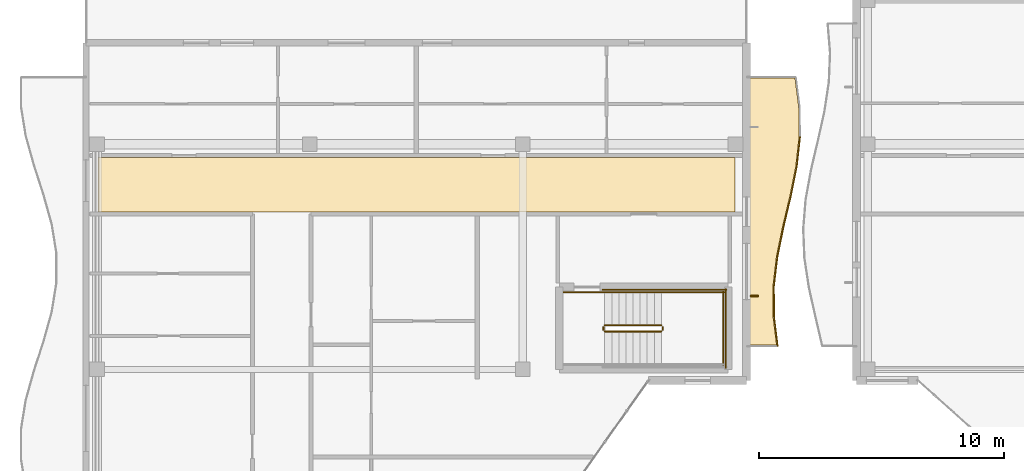
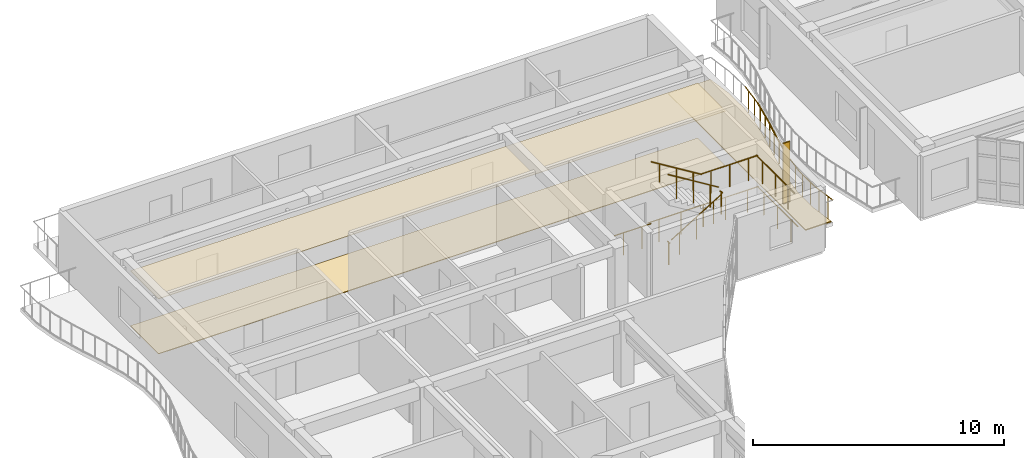
# One storey, part 53 of 71: 17 railings, 3 coverings, 1 shading device.
"""IFC4 building model written with IfcOpenShell, lengths in metres."""

from ifc_helpers import new_model, si_unit, direction, frame, origin, origin_2d, place, context, subcontext, project, spatial, polyline, rectangle, circle, outline, extrude, material, layer, layer_set, type_object, element, save


model = new_model("IFC4")

# Units and contexts
model_context = context("Model", 3, precision=1e-05, world=origin(), true_north=direction((0.0, 1.0)))
body_context = subcontext(model_context, "Body", "Model", "MODEL_VIEW")
ifc_project = project(units=[si_unit("LENGTHUNIT", "METRE"), si_unit("AREAUNIT", "SQUARE_METRE"), si_unit("VOLUMEUNIT", "CUBIC_METRE"), si_unit("PLANEANGLEUNIT", "RADIAN"), si_unit("MASSUNIT", "GRAM", prefix="KILO")], contexts=[model_context])

# Site, building, storey
site_placement = place(None, origin())
site = spatial("IfcSite", under=ifc_project, at=site_placement, CompositionType="ELEMENT")
building_placement = place(site_placement, origin())
building = spatial("IfcBuilding", under=site, at=building_placement, Name="Keldmere Railside Commons", CompositionType="ELEMENT")
storey_placement = place(building_placement, frame((0.0, 0.0, 20.159912109375)))
storey = spatial("IfcBuildingStorey", under=building, at=storey_placement, Name="L06", CompositionType="ELEMENT", Elevation=20.159912109375)

# Railings
ifc_material_1 = material(Name="Steel F-24 (S235)", Category="steel")
railing_type_1 = type_object("IfcRailingType", Name="Balcony & Terrace Steel Balustrade 1100", PredefinedType="BALUSTRADE", material=ifc_material_1)
railing_1_placement = place(storey_placement, frame((36.271728515625, 101.39990234375, 0.0)))
element("IfcRailing", 1, at=railing_1_placement, inside=storey, type_object=railing_type_1, Name="GR-1 GRD-L06-0678", PredefinedType="BALUSTRADE", context=body_context, shape_type="SweptSolid", body=[
    extrude(circle(Radius=0.02392578125, at=origin_2d()), frame((0.0, 0.0, 1.076171875), z_axis=(-0.12210713524, 0.99251692556, 0.0), x_axis=(-0.99251692556, -0.12210713524, 0.0)), (0.0, 0.0, 1.0), 1.231689453125),
    extrude(circle(Radius=0.02099609375, at=origin_2d()), frame((-0.03759765625, 0.3056640625, 0.0)), (0.0, 0.0, 1.0), 1.048095703125),
    extrude(circle(Radius=0.02099609375, at=origin_2d()), frame((-0.11279296875, 0.916748046875, 0.0)), (0.0, 0.0, 1.0), 1.048095703125),
])
railing_2_placement = place(storey_placement, frame((36.121337890625, 102.622314453125, 0.0)))
element("IfcRailing", 2, at=railing_2_placement, inside=storey, type_object=railing_type_1, Name="GR-1 GRD-L06-0679", PredefinedType="BALUSTRADE", context=body_context, shape_type="SweptSolid", body=[
    extrude(circle(Radius=0.02392578125, at=origin_2d()), frame((0.0, 0.0, 1.076171875), z_axis=(-0.002996390863, 0.999995510811, 0.0), x_axis=(-0.999995510811, -0.002996390863, 0.0)), (0.0, 0.0, 1.0), 1.22216796875),
    extrude(circle(Radius=0.02099609375, at=origin_2d()), frame((-0.0009765625, 0.3056640625, 0.0)), (0.0, 0.0, 1.0), 1.048095703125),
    extrude(circle(Radius=0.02099609375, at=origin_2d()), frame((-0.002685546875, 0.91650390625, 0.0)), (0.0, 0.0, 1.0), 1.048095703125),
])
railing_3_placement = place(storey_placement, frame((36.11767578125, 103.844482421875, 0.0)))
element("IfcRailing", 3, at=railing_3_placement, inside=storey, type_object=railing_type_1, Name="GR-1 GRD-L06-0680", PredefinedType="BALUSTRADE", context=body_context, shape_type="SweptSolid", body=[
    extrude(circle(Radius=0.02392578125, at=origin_2d()), frame((0.0, 0.0, 1.076171875), z_axis=(0.11724409675, 0.993103127463, 0.0), x_axis=(-0.993103127463, 0.11724409675, 0.0)), (0.0, 0.0, 1.0), 1.230712890625),
    extrude(circle(Radius=0.02099609375, at=origin_2d()), frame((0.0361328125, 0.3056640625, 0.0)), (0.0, 0.0, 1.0), 1.048095703125),
    extrude(circle(Radius=0.02099609375, at=origin_2d()), frame((0.108154296875, 0.91650390625, 0.0)), (0.0, 0.0, 1.0), 1.048095703125),
])
railing_4_placement = place(storey_placement, frame((36.261962890625, 105.066650390625, 0.0)))
element("IfcRailing", 4, at=railing_4_placement, inside=storey, type_object=railing_type_1, Name="GR-1 GRD-L06-0681", PredefinedType="BALUSTRADE", context=body_context, shape_type="SweptSolid", body=[
    extrude(circle(Radius=0.02392578125, at=origin_2d()), frame((0.0, 0.0, 1.076171875), z_axis=(0.20190684801, 0.979404729786, 0.0), x_axis=(-0.979404729786, 0.20190684801, 0.0)), (0.0, 0.0, 1.0), 1.247802734375),
    extrude(circle(Radius=0.02099609375, at=origin_2d()), frame((0.06298828125, 0.3056640625, 0.0)), (0.0, 0.0, 1.0), 1.048095703125),
    extrude(circle(Radius=0.02099609375, at=origin_2d()), frame((0.18896484375, 0.91650390625, 0.0)), (0.0, 0.0, 1.0), 1.048095703125),
])
railing_5_placement = place(storey_placement, frame((36.513916015625, 106.288818359375, 0.0)))
element("IfcRailing", 5, at=railing_5_placement, inside=storey, type_object=railing_type_1, Name="GR-1 GRD-L06-0682", PredefinedType="BALUSTRADE", context=body_context, shape_type="SweptSolid", body=[
    extrude(circle(Radius=0.02392578125, at=origin_2d()), frame((0.0, 0.0, 1.076171875), z_axis=(0.230718229833, 0.973020605343, 0.0), x_axis=(-0.973020605343, 0.230718229833, 0.0)), (0.0, 0.0, 1.0), 1.256103515625),
    extrude(circle(Radius=0.02099609375, at=origin_2d()), frame((0.072509765625, 0.3056640625, 0.0)), (0.0, 0.0, 1.0), 1.048095703125),
    extrude(circle(Radius=0.02099609375, at=origin_2d()), frame((0.21728515625, 0.91650390625, 0.0)), (0.0, 0.0, 1.0), 1.048095703125),
])
railing_6_placement = place(storey_placement, frame((36.8037109375, 107.510986328125, 0.0)))
element("IfcRailing", 6, at=railing_6_placement, inside=storey, type_object=railing_type_1, Name="GR-1 GRD-L06-0683", PredefinedType="BALUSTRADE", context=body_context, shape_type="SweptSolid", body=[
    extrude(circle(Radius=0.02392578125, at=origin_2d()), frame((0.0, 0.0, 1.076171875), z_axis=(0.198110994175, 0.980179592721, 0.0), x_axis=(-0.980179592721, 0.198110994175, 0.0)), (0.0, 0.0, 1.0), 1.2470703125),
    extrude(circle(Radius=0.02099609375, at=origin_2d()), frame((0.061767578125, 0.3056640625, 0.0)), (0.0, 0.0, 1.0), 1.048095703125),
    extrude(circle(Radius=0.02099609375, at=origin_2d()), frame((0.185302734375, 0.916748046875, 0.0)), (0.0, 0.0, 1.0), 1.048095703125),
])
railing_7_placement = place(storey_placement, frame((37.05078125, 108.7333984375, 0.0)))
element("IfcRailing", 7, at=railing_7_placement, inside=storey, type_object=railing_type_1, Name="GR-1 GRD-L06-0684", PredefinedType="BALUSTRADE", context=body_context, shape_type="SweptSolid", body=[
    extrude(circle(Radius=0.02392578125, at=origin_2d()), frame((0.0, 0.0, 1.076171875), z_axis=(0.110387944134, 0.993888576144, 0.0), x_axis=(-0.993888576144, 0.110387944134, 0.0)), (0.0, 0.0, 1.0), 1.229736328125),
    extrude(circle(Radius=0.02099609375, at=origin_2d()), frame((0.033935546875, 0.3056640625, 0.0)), (0.0, 0.0, 1.0), 1.048095703125),
    extrude(circle(Radius=0.02099609375, at=origin_2d()), frame((0.101806640625, 0.91650390625, 0.0)), (0.0, 0.0, 1.0), 1.048095703125),
])

# Shading device
ifc_layer_1 = layer(ifc_material_1, 0.06005859375, Name="East-West Vertical Brise-Soleil Fin 320x60")
ifc_layer_set_1 = layer_set([ifc_layer_1], Name="Steel F-24 (S235)")
shading_device_type = type_object("IfcShadingDeviceType", Name="East-West Vertical Brise-Soleil Fin 320x60", PredefinedType="USERDEFINED", material=ifc_layer_set_1)
shading_device_placement = place(storey_placement, frame((35.318115234375, 103.449951171875, 0.0), z_axis=(0.0, 0.0, 1.0), x_axis=(1.0, 0.0, 0.0)))
element("IfcShadingDevice", 8, at=shading_device_placement, inside=storey, type_object=shading_device_type, Name="FIN-1 Solar Fin 006", ObjectType="FIN", PredefinedType="USERDEFINED", context=body_context, shape_type="SweptSolid", body=[
    extrude(rectangle(XDim=0.320068359375, YDim=0.06005859375, at=origin_2d()), origin(), (0.0, 0.0, 1.0), 2.97998046875),
])

# Covering
ifc_material_2 = material(Name="Polished Terrazzo Tile Flooring", Category="concrete")
ifc_layer_2 = layer(ifc_material_2, 0.030029296875, Name="Polished Terrazzo Floor Finish 30")
ifc_layer_set_2 = layer_set([ifc_layer_2], Name="Polished Terrazzo Tile Flooring")
covering_type_1 = type_object("IfcCoveringType", Name="Polished Terrazzo Floor Finish 30", PredefinedType="FLOORING", material=ifc_layer_set_2)
covering_1_placement = place(storey_placement, origin())
element("IfcCovering", 9, at=covering_1_placement, inside=storey, type_object=covering_type_1, Name="FLR-1 Corridor Terrazzo D-L06", PredefinedType="FLOORING", context=body_context, shape_type="SweptSolid", body=[
    extrude(outline(polyline([(8.47998046875, 106.8798828125), (34.52001953125, 106.8798828125), (34.52001953125, 109.1201171875), (8.47998046875, 109.1201171875), (8.47998046875, 106.8798828125)])), origin(), (0.0, 0.0, 1.0), 0.030029296875),
])

# Railings
railing_type_2 = type_object("IfcRailingType", Name="Stair Well Steel Guardrail 1100", PredefinedType="BALUSTRADE", material=ifc_material_1)
railing_8_placement = place(storey_placement, frame((29.199951171875, 102.0, 0.177978515625)))
element("IfcRailing", 10, at=railing_8_placement, inside=storey, type_object=railing_type_2, Name="L06 ST-D2 stair guard 1", PredefinedType="BALUSTRADE", context=body_context, shape_type="SweptSolid", body=[
    extrude(circle(Radius=0.02392578125, at=origin_2d()), frame((0.0, 0.0, 1.076171875), z_axis=(0.852578041948, 0.0, 0.522599925744), x_axis=(0.0, 1.0, 0.0)), (0.0, 0.0, 1.0), 2.72119140625),
    extrude(circle(Radius=0.02099609375, at=origin_2d()), frame((0.38671875, 0.0, 0.237060546875)), (0.0, 0.0, 1.0), 1.048095703125),
    extrude(circle(Radius=0.02099609375, at=origin_2d()), frame((1.16015625, 0.0, 0.7109375)), (0.0, 0.0, 1.0), 1.048095703125),
    extrude(circle(Radius=0.02099609375, at=origin_2d()), frame((1.933349609375, 0.0, 1.18505859375)), (0.0, 0.0, 1.0), 1.048095703125),
])
railing_9_placement = place(storey_placement, frame((31.570068359375, 102.050048828125, 1.60009765625)))
element("IfcRailing", 11, at=railing_9_placement, inside=storey, type_object=railing_type_2, Name="L06 ST-D2 stair guard 2", PredefinedType="BALUSTRADE", context=body_context, shape_type="SweptSolid", body=[
    extrude(circle(Radius=0.02392578125, at=origin_2d()), frame((0.0, 0.0, 1.076171875), z_axis=(0.0, 1.0, 0.0), x_axis=(-1.0, 0.0, 0.0)), (0.0, 0.0, 1.0), 0.14990234375),
    extrude(circle(Radius=0.02099609375, at=origin_2d()), frame((0.0, 0.074951171875, 0.0)), (0.0, 0.0, 1.0), 1.048095703125),
])
railing_10_placement = place(storey_placement, frame((31.52001953125, 103.60009765625, 1.60009765625)))
element("IfcRailing", 12, at=railing_10_placement, inside=storey, type_object=railing_type_2, Name="L06 ST-D2 stair guard 4", PredefinedType="BALUSTRADE", context=body_context, shape_type="SweptSolid", body=[
    extrude(circle(Radius=0.02392578125, at=origin_2d()), frame((0.0, 0.0, 1.076171875), z_axis=(1.0, 0.0, 0.0), x_axis=(0.0, 1.0, 0.0)), (0.0, 0.0, 1.0), 2.580078125),
    extrude(circle(Radius=0.02099609375, at=origin_2d()), frame((0.429931640625, 0.0, 0.0)), (0.0, 0.0, 1.0), 1.048095703125),
    extrude(circle(Radius=0.02099609375, at=origin_2d()), frame((1.2900390625, 0.0, 0.0)), (0.0, 0.0, 1.0), 1.048095703125),
    extrude(circle(Radius=0.02099609375, at=origin_2d()), frame((2.150146484375, 0.0, 0.0)), (0.0, 0.0, 1.0), 1.048095703125),
])
railing_11_placement = place(storey_placement, frame((34.050048828125, 100.60009765625, 1.60009765625)))
element("IfcRailing", 13, at=railing_11_placement, inside=storey, type_object=railing_type_2, Name="L06 ST-D2 stair guard 5", PredefinedType="BALUSTRADE", context=body_context, shape_type="SweptSolid", body=[
    extrude(circle(Radius=0.02392578125, at=origin_2d()), frame((0.0, 0.0, 1.076171875), z_axis=(0.0, 1.0, 0.0), x_axis=(-1.0, 0.0, 0.0)), (0.0, 0.0, 1.0), 3.0498046875),
    extrude(circle(Radius=0.02099609375, at=origin_2d()), frame((0.0, 0.50830078125, 0.0)), (0.0, 0.0, 1.0), 1.048095703125),
    extrude(circle(Radius=0.02099609375, at=origin_2d()), frame((0.0, 1.52490234375, 0.0)), (0.0, 0.0, 1.0), 1.048095703125),
    extrude(circle(Radius=0.02099609375, at=origin_2d()), frame((0.0, 2.54150390625, 0.0)), (0.0, 0.0, 1.0), 1.048095703125),
])
railing_12_placement = place(storey_placement, frame((31.52001953125, 102.25, 1.77783203125)))
element("IfcRailing", 14, at=railing_12_placement, inside=storey, type_object=railing_type_2, Name="L06 ST-D2 stair guard 6", PredefinedType="BALUSTRADE", context=body_context, shape_type="SweptSolid", body=[
    extrude(circle(Radius=0.02392578125, at=origin_2d()), frame((0.0, 0.0, 1.076171875), z_axis=(-0.852538067394, 0.0, 0.522665135287), x_axis=(0.0, -1.0, 0.0)), (0.0, 0.0, 1.0), 2.721435546875),
    extrude(circle(Radius=0.02099609375, at=origin_2d()), frame((-0.38671875, 0.0, 0.237060546875)), (0.0, 0.0, 1.0), 1.048095703125),
    extrude(circle(Radius=0.02099609375, at=origin_2d()), frame((-1.16015625, 0.0, 0.711181640625)), (0.0, 0.0, 1.0), 1.048095703125),
    extrude(circle(Radius=0.02099609375, at=origin_2d()), frame((-1.933349609375, 0.0, 1.185302734375)), (0.0, 0.0, 1.0), 1.048095703125),
])
railing_13_placement = place(storey_placement, frame((29.14990234375, 102.050048828125, 0.0)))
element("IfcRailing", 15, at=railing_13_placement, inside=storey, type_object=railing_type_2, Name="L06 ST-D2 stair guard 7", PredefinedType="BALUSTRADE", context=body_context, shape_type="SweptSolid", body=[
    extrude(circle(Radius=0.02392578125, at=origin_2d()), frame((0.0, 0.0, 1.076171875), z_axis=(0.0, 1.0, 0.0), x_axis=(-1.0, 0.0, 0.0)), (0.0, 0.0, 1.0), 0.14990234375),
    extrude(circle(Radius=0.02099609375, at=origin_2d()), frame((0.0, 0.074951171875, 0.0)), (0.0, 0.0, 1.0), 1.048095703125),
])
railing_14_placement = place(storey_placement, frame((27.5, 103.60009765625, 0.0)))
element("IfcRailing", 16, at=railing_14_placement, inside=storey, type_object=railing_type_2, Name="L06 ST-D2 stair guard 9", PredefinedType="BALUSTRADE", context=body_context, shape_type="SweptSolid", body=[
    extrude(circle(Radius=0.02392578125, at=origin_2d()), frame((0.0, 0.0, 1.076171875), z_axis=(1.0, 0.0, 0.0), x_axis=(0.0, 1.0, 0.0)), (0.0, 0.0, 1.0), 1.699951171875),
    extrude(circle(Radius=0.02099609375, at=origin_2d()), frame((0.425048828125, 0.0, 0.0)), (0.0, 0.0, 1.0), 1.048095703125),
    extrude(circle(Radius=0.02099609375, at=origin_2d()), frame((1.27490234375, 0.0, 0.0)), (0.0, 0.0, 1.0), 1.048095703125),
])
railing_15_placement = place(storey_placement, frame((29.10009765625, 103.699951171875, 0.0)))
element("IfcRailing", 17, at=railing_15_placement, inside=storey, type_object=railing_type_2, Name="L06 ST-D2 stair guard 11", PredefinedType="BALUSTRADE", context=body_context, shape_type="SweptSolid", body=[
    extrude(circle(Radius=0.02392578125, at=origin_2d()), frame((0.0, 0.0, 1.076171875), z_axis=(1.0, 0.0, 0.0), x_axis=(0.0, 1.0, 0.0)), (0.0, 0.0, 1.0), 5.099853515625),
    extrude(circle(Radius=0.02099609375, at=origin_2d()), frame((0.510009765625, 0.0, 0.0)), (0.0, 0.0, 1.0), 1.048095703125),
    extrude(circle(Radius=0.02099609375, at=origin_2d()), frame((1.530029296875, 0.0, 0.0)), (0.0, 0.0, 1.0), 1.048095703125),
    extrude(circle(Radius=0.02099609375, at=origin_2d()), frame((2.5498046875, 0.0, 0.0)), (0.0, 0.0, 1.0), 1.048095703125),
    extrude(circle(Radius=0.02099609375, at=origin_2d()), frame((3.56982421875, 0.0, 0.0)), (0.0, 0.0, 1.0), 1.048095703125),
    extrude(circle(Radius=0.02099609375, at=origin_2d()), frame((4.58984375, 0.0, 0.0)), (0.0, 0.0, 1.0), 1.048095703125),
])
railing_16_placement = place(storey_placement, frame((34.14990234375, 100.5, 0.0)))
element("IfcRailing", 18, at=railing_16_placement, inside=storey, type_object=railing_type_2, Name="L06 ST-D2 stair guard 12", PredefinedType="BALUSTRADE", context=body_context, shape_type="SweptSolid", body=[
    extrude(circle(Radius=0.02392578125, at=origin_2d()), frame((0.0, 0.0, 1.076171875), z_axis=(0.0, 1.0, 0.0), x_axis=(-1.0, 0.0, 0.0)), (0.0, 0.0, 1.0), 3.25),
    extrude(circle(Radius=0.02099609375, at=origin_2d()), frame((0.0, 0.541748046875, 0.0)), (0.0, 0.0, 1.0), 1.048095703125),
    extrude(circle(Radius=0.02099609375, at=origin_2d()), frame((0.0, 1.625, 0.0)), (0.0, 0.0, 1.0), 1.048095703125),
    extrude(circle(Radius=0.02099609375, at=origin_2d()), frame((0.0, 2.708251953125, 0.0)), (0.0, 0.0, 1.0), 1.048095703125),
])

# Covering
ifc_material_3 = material(Name="Acoustic Mineral-Fibre Gypsum Ceiling", Category="gypsum")
ifc_layer_3 = layer(ifc_material_3, 0.02490234375, Name="Suspended Acoustic Ceiling 25")
ifc_layer_set_3 = layer_set([ifc_layer_3], Name="Acoustic Mineral-Fibre Gypsum Ceiling")
covering_type_2 = type_object("IfcCoveringType", Name="Suspended Acoustic Ceiling 25", PredefinedType="CEILING", material=ifc_layer_set_3)
covering_2_placement = place(storey_placement, frame((0.0, 0.0, 2.675048828125)))
element("IfcCovering", 19, at=covering_2_placement, inside=storey, type_object=covering_type_2, Name="CLG-1 Corridor Ceiling D-L06", PredefinedType="CEILING", context=body_context, shape_type="SweptSolid", body=[
    extrude(outline(polyline([(8.47998046875, 106.8798828125), (34.52001953125, 106.8798828125), (34.52001953125, 109.1201171875), (8.47998046875, 109.1201171875), (8.47998046875, 106.8798828125)])), origin(), (0.0, 0.0, 1.0), 0.025146484375),
])

# Railing
railing_type_3 = type_object("IfcRailingType", Name="Wall-Mounted Tubular Steel Handrail 900", PredefinedType="HANDRAIL", material=ifc_material_1)
railing_17_placement = place(storey_placement, frame((31.52001953125, 103.60009765625, 1.77783203125)))
element("IfcRailing", 20, at=railing_17_placement, inside=storey, type_object=railing_type_3, Name="L06 ST-D2 stair handrail 2", PredefinedType="HANDRAIL", context=body_context, shape_type="SweptSolid", body=[
    extrude(circle(Radius=0.02392578125, at=origin_2d()), frame((0.0, 0.0, 0.8759765625), z_axis=(-0.852538067394, 0.0, 0.522665135287), x_axis=(0.0, -1.0, 0.0)), (0.0, 0.0, 1.0), 2.721435546875),
    extrude(circle(Radius=0.02099609375, at=origin_2d()), frame((-0.38671875, 0.0, 0.237060546875)), (0.0, 0.0, 1.0), 0.847900390625),
    extrude(circle(Radius=0.02099609375, at=origin_2d()), frame((-1.16015625, 0.0, 0.711181640625)), (0.0, 0.0, 1.0), 0.847900390625),
    extrude(circle(Radius=0.02099609375, at=origin_2d()), frame((-1.933349609375, 0.0, 1.185302734375)), (0.0, 0.0, 1.0), 0.847900390625),
])

# Covering
ifc_material_4 = material(Name="White Precast Concrete C35/45", Category="concrete")
ifc_layer_4 = layer(ifc_material_4, 0.044921875, Name="White Architectural Balcony Ribbon Cladding 45")
ifc_layer_set_4 = layer_set([ifc_layer_4], Name="White Precast Concrete C35/45")
covering_type_3 = type_object("IfcCoveringType", Name="White Architectural Balcony Ribbon Cladding 45", PredefinedType="FLOORING", material=ifc_layer_set_4)
covering_3_placement = place(storey_placement, origin())
element("IfcCovering", 21, at=covering_3_placement, inside=storey, type_object=covering_type_3, Name="CLG-WB D L06 WE White Balcony Ribbon", PredefinedType="FLOORING", context=body_context, shape_type="SweptSolid", body=[
    extrude(outline(polyline([(36.08154296875, 102.6171875), (36.081298828125, 102.6220703125), (36.07763671875, 103.84423828125), (36.077880859375, 103.84912109375), (36.22216796875, 105.0712890625), (36.22265625, 105.07470703125), (36.474609375, 106.297119140625), (36.47509765625, 106.298095703125), (36.7646484375, 107.519775390625), (37.01123046875, 108.739501953125), (37.146484375, 109.95751953125), (37.13330078125, 111.175048828125), (36.979736328125, 112.360107421875), (35.0400390625, 112.360107421875), (35.0400390625, 101.43994140625), (36.2265625, 101.43994140625), (36.08154296875, 102.6171875)])), origin(), (0.0, 0.0, 1.0), 0.045166015625),
])

save(model, "model.ifc")
